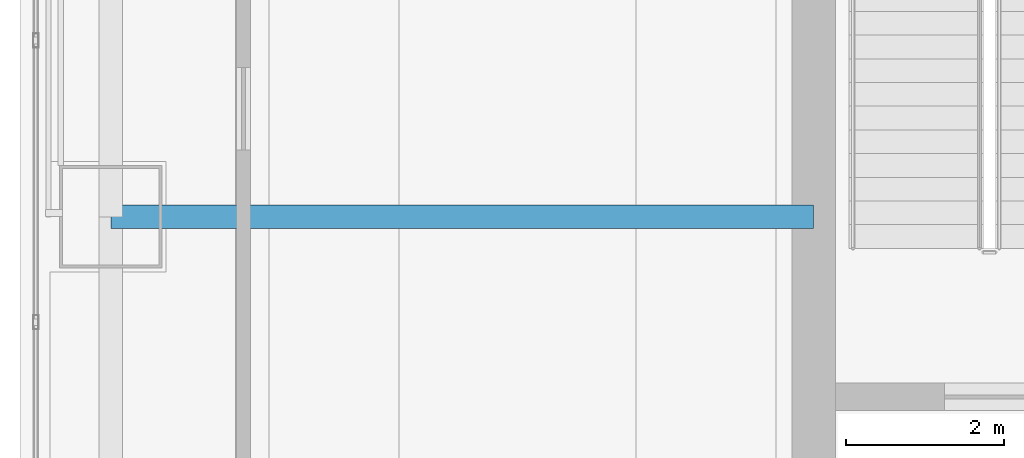
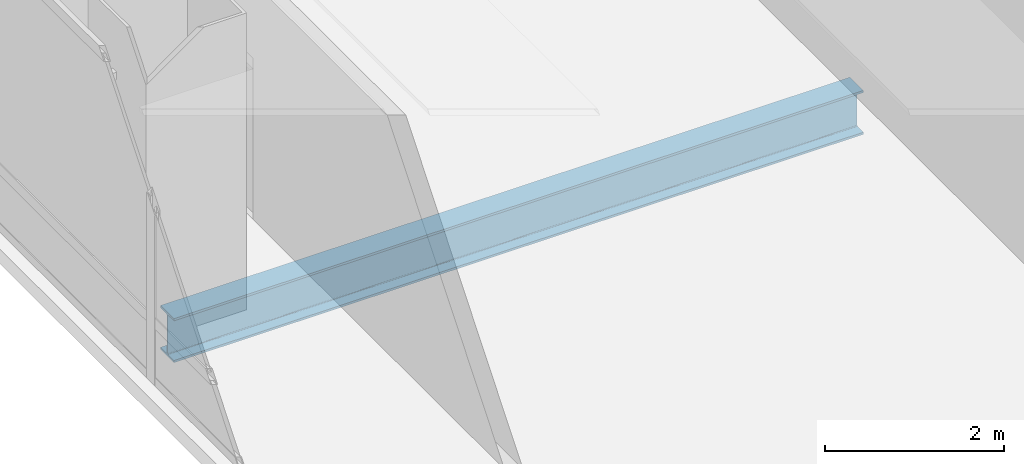
# One storey, part 5 of 42: 1 beam.
"""IFC4 building model written with IfcOpenShell, lengths in metres."""

from ifc_helpers import new_model, si_unit, direction, frame, origin, origin_2d, place, context, subcontext, project, spatial, i_section, extrude, material, material_profile, profile_set, type_object, element, save


model = new_model("IFC4")

# Units and contexts
model_context = context("Model", 3, precision=1e-05, world=origin(), true_north=direction((0.0, 1.0)))
body_context = subcontext(model_context, "Body", "Model", "MODEL_VIEW")
ifc_project = project(units=[si_unit("LENGTHUNIT", "METRE"), si_unit("AREAUNIT", "SQUARE_METRE"), si_unit("VOLUMEUNIT", "CUBIC_METRE"), si_unit("PLANEANGLEUNIT", "RADIAN"), si_unit("MASSUNIT", "GRAM", prefix="KILO")], contexts=[model_context])

# Site, building, storey
site_placement = place(None, origin())
site = spatial("IfcSite", under=ifc_project, at=site_placement, CompositionType="ELEMENT")
building_placement = place(site_placement, origin())
building = spatial("IfcBuilding", under=site, at=building_placement, Name="Punatoya Terracotta Tower", CompositionType="ELEMENT")
storey_placement = place(building_placement, frame((0.0, 0.0, 259.5)))
storey = spatial("IfcBuildingStorey", under=building, at=storey_placement, Name="L61", CompositionType="ELEMENT", Elevation=259.5)

# Beam
ifc_material = material(Name="Steel S355", Category="steel")
ifc_material_profile = material_profile(ifc_material, i_section(OverallWidth=0.300048828125, OverallDepth=0.60009765625, WebThickness=0.015380859375, FlangeThickness=0.030029296875, FilletRadius=0.01806640625, at=origin_2d()))
ifc_profile_set = profile_set([ifc_material_profile], Name="Steel S355")
beam_type = type_object("IfcBeamType", Name="BM-PRI-600", PredefinedType="BEAM", material=ifc_profile_set)
beam_placement = place(storey_placement, frame((-19.10009765625, -3.39990234375, -0.5), z_axis=(1.0, 0.0, 0.0), x_axis=(0.0, 1.0, 0.0)))
element("IfcBeam", 1, at=beam_placement, inside=storey, type_object=beam_type, Name="BM-L61-PR-WD", PredefinedType="BEAM", context=body_context, shape_type="SweptSolid", body=[
    extrude(i_section(OverallWidth=0.300048828125, OverallDepth=0.60009765625, WebThickness=0.015380859375, FlangeThickness=0.030029296875, FilletRadius=0.01806640625, at=origin_2d()), origin(), (0.0, 0.0, 1.0), 8.900146484375),
])

save(model, "model.ifc")
